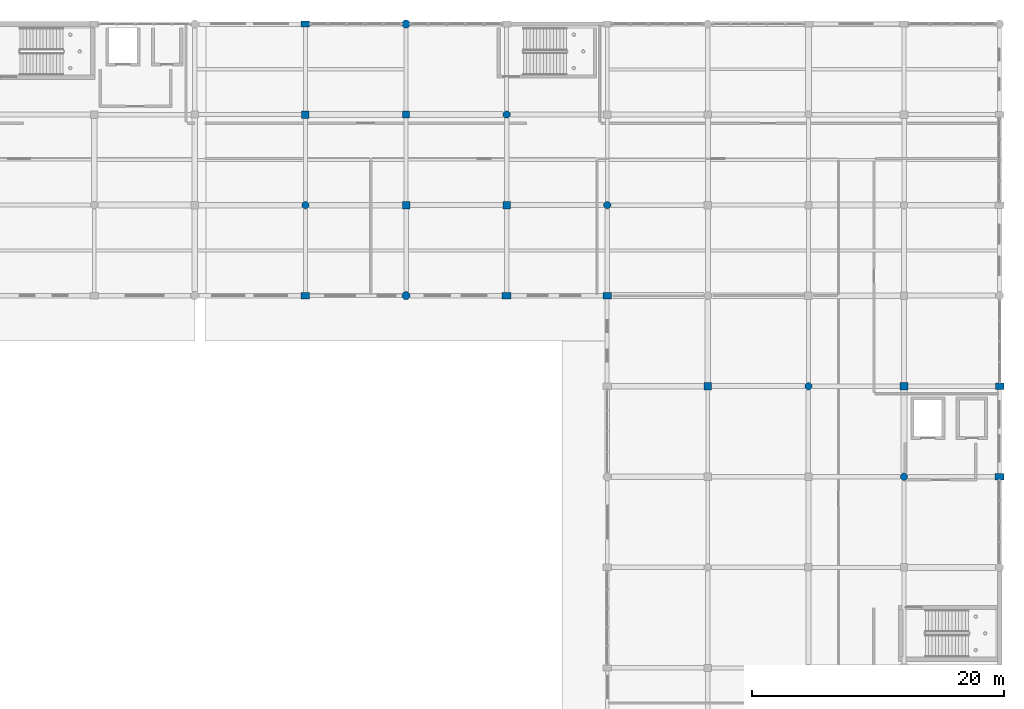
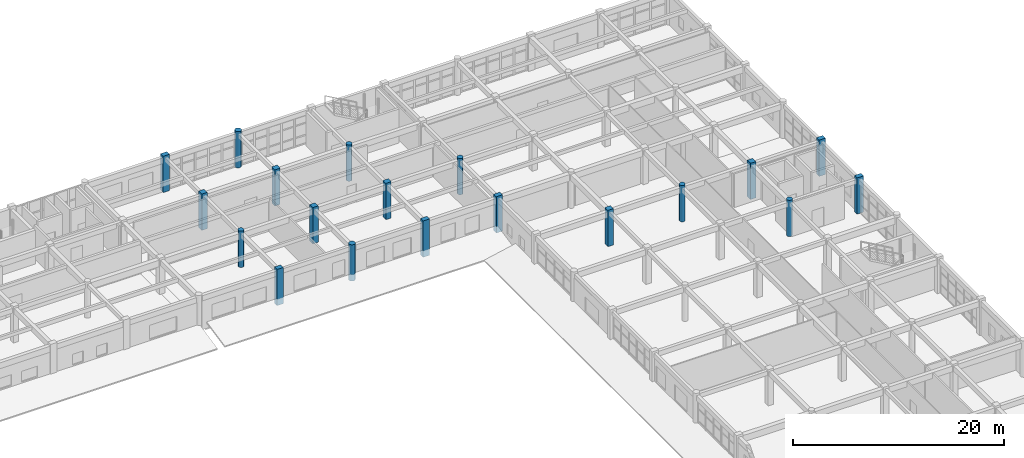
# One storey, part 7 of 121: 19 columns.
"""IFC4 building model written with IfcOpenShell, lengths in metres."""

from ifc_helpers import new_model, si_unit, direction, frame, origin, origin_2d, place, context, subcontext, project, spatial, rectangle, circle, extrude, material, material_profile, profile_set, type_object, element, save


model = new_model("IFC4")

# Units and contexts
model_context = context("Model", 3, precision=1e-05, world=origin(), true_north=direction((0.0, 1.0)))
body_context = subcontext(model_context, "Body", "Model", "MODEL_VIEW")
ifc_project = project(units=[si_unit("LENGTHUNIT", "METRE"), si_unit("AREAUNIT", "SQUARE_METRE"), si_unit("VOLUMEUNIT", "CUBIC_METRE"), si_unit("PLANEANGLEUNIT", "RADIAN"), si_unit("MASSUNIT", "GRAM", prefix="KILO")], contexts=[model_context])

# Site, building, storey
site_placement = place(None, origin())
site = spatial("IfcSite", under=ifc_project, at=site_placement, CompositionType="ELEMENT")
building_placement = place(site_placement, origin())
building = spatial("IfcBuilding", under=site, at=building_placement, Name="Kharva Crest Polytechnic", CompositionType="ELEMENT")
storey_placement = place(building_placement, frame((0.0, 0.0, 13.199951171875)))
storey = spatial("IfcBuildingStorey", under=building, at=storey_placement, Name="L03", CompositionType="ELEMENT", Elevation=13.199951171875)

# Columns
ifc_material = material(Name="Concrete C40/50", Category="concrete")
ifc_material_profile_1 = material_profile(ifc_material, rectangle(XDim=0.679931640625, YDim=0.5, at=origin_2d()), Name="RECT 680 X 500")
ifc_profile_set_1 = profile_set([ifc_material_profile_1], Name="Concrete C40/50")
column_type_1 = type_object("IfcColumnType", Name="COL-EXT-680X500", PredefinedType="COLUMN", material=ifc_profile_set_1)
for number, where, z_axis, x_axis, name in (
    (1, (128.800048828125, 100.39990234375, 0.0), (0.0, 0.0, 1.0), (1.0, 0.0, 0.0), "L03 Column 17/P"),
    (2, (128.800048828125, 122.0, 0.0), (0.0, 0.0, 1.0), (1.0, 0.0, 0.0), "L03 Column 17/S"),
    (3, (152.800048828125, 100.39990234375, 0.0), (0.0, 0.0, 1.0), (1.0, 0.0, 0.0), "L03 Column 20/P"),
    (4, (184.0, 93.199951171875, 0.0), (0.0, 0.0, 1.0), (1.0, 0.0, 0.0), "L03 Column 24/N"),
):
    element("IfcColumn", number, at=place(storey_placement, frame(where, z_axis=z_axis, x_axis=x_axis)), inside=storey, type_object=column_type_1, Name=name, PredefinedType="COLUMN", context=body_context, shape_type="SweptSolid", body=[
        extrude(rectangle(XDim=0.679931640625, YDim=0.5, at=origin_2d()), origin(), (0.0, 0.0, 1.0), 4.199951171875),
    ])
ifc_material_profile_2 = material_profile(ifc_material, rectangle(XDim=0.699951171875, YDim=0.5, at=origin_2d()), Name="RECT 700 X 500")
ifc_profile_set_2 = profile_set([ifc_material_profile_2], Name="Concrete C40/50")
column_type_2 = type_object("IfcColumnType", Name="COL-EXT-700X500", PredefinedType="COLUMN", material=ifc_profile_set_2)
for number, where, z_axis, x_axis, name in (
    (5, (144.800048828125, 100.39990234375, 0.0), (0.0, 0.0, 1.0), (1.0, 0.0, 0.0), "L03 Column 19/P"),
    (6, (184.0, 86.0, 0.0), (0.0, 0.0, 1.0), (1.0, 0.0, 0.0), "L03 Column 24/M"),
):
    element("IfcColumn", number, at=place(storey_placement, frame(where, z_axis=z_axis, x_axis=x_axis)), inside=storey, type_object=column_type_2, Name=name, PredefinedType="COLUMN", context=body_context, shape_type="SweptSolid", body=[
        extrude(rectangle(XDim=0.699951171875, YDim=0.5, at=origin_2d()), origin(), (0.0, 0.0, 1.0), 4.199951171875),
    ])
ifc_material_profile_3 = material_profile(ifc_material, circle(Radius=0.320068359375, at=origin_2d()), Name="DIA 640")
ifc_profile_set_3 = profile_set([ifc_material_profile_3], Name="Concrete C40/50")
column_type_3 = type_object("IfcColumnType", Name="COL-EXT-DIA640", PredefinedType="COLUMN", material=ifc_profile_set_3)
for number, where, z_axis, x_axis, name in (
    (7, (136.800048828125, 100.39990234375, 0.0), (0.0, 0.0, 1.0), (1.0, 0.0, 0.0), "L03 Column 18/P"),
    (8, (136.800048828125, 122.0, 0.0), (0.0, 0.0, 1.0), (1.0, 0.0, 0.0), "L03 Column 18/S"),
):
    element("IfcColumn", number, at=place(storey_placement, frame(where, z_axis=z_axis, x_axis=x_axis)), inside=storey, type_object=column_type_3, Name=name, PredefinedType="COLUMN", context=body_context, shape_type="SweptSolid", body=[
        extrude(circle(Radius=0.320068359375, at=origin_2d()), origin(), (0.0, 0.0, 1.0), 4.199951171875),
    ])
ifc_material_profile_4 = material_profile(ifc_material, rectangle(XDim=0.580078125, YDim=0.580078125, at=origin_2d()), Name="RECT 580 X 580")
ifc_profile_set_4 = profile_set([ifc_material_profile_4], Name="Concrete C40/50")
column_type_4 = type_object("IfcColumnType", Name="COL-INT-580X580", PredefinedType="COLUMN", material=ifc_profile_set_4)
for number, where, z_axis, x_axis, name in (
    (9, (136.800048828125, 114.800048828125, 0.0), (0.0, 0.0, 1.0), (1.0, 0.0, 0.0), "L03 Column 18/R"),
    (10, (144.800048828125, 107.60009765625, 0.0), (0.0, 0.0, 1.0), (1.0, 0.0, 0.0), "L03 Column 19/Q"),
    (11, (160.800048828125, 93.199951171875, 0.0), (0.0, 0.0, 1.0), (1.0, 0.0, 0.0), "L03 Column 21/N"),
):
    element("IfcColumn", number, at=place(storey_placement, frame(where, z_axis=z_axis, x_axis=x_axis)), inside=storey, type_object=column_type_4, Name=name, PredefinedType="COLUMN", context=body_context, shape_type="SweptSolid", body=[
        extrude(rectangle(XDim=0.580078125, YDim=0.580078125, at=origin_2d()), origin(), (0.0, 0.0, 1.0), 4.199951171875),
    ])
ifc_material_profile_5 = material_profile(ifc_material, rectangle(XDim=0.60009765625, YDim=0.60009765625, at=origin_2d()), Name="RECT 600 X 600")
ifc_profile_set_5 = profile_set([ifc_material_profile_5], Name="Concrete C40/50")
column_type_5 = type_object("IfcColumnType", Name="COL-INT-600X600", PredefinedType="COLUMN", material=ifc_profile_set_5)
for number, where, z_axis, x_axis, name in (
    (12, (128.800048828125, 114.800048828125, 0.0), (0.0, 0.0, 1.0), (1.0, 0.0, 0.0), "L03 Column 17/R"),
    (13, (136.800048828125, 107.60009765625, 0.0), (0.0, 0.0, 1.0), (1.0, 0.0, 0.0), "L03 Column 18/Q"),
    (14, (176.39990234375, 93.199951171875, 0.0), (0.0, 0.0, 1.0), (1.0, 0.0, 0.0), "L03 Column 23/N"),
):
    element("IfcColumn", number, at=place(storey_placement, frame(where, z_axis=z_axis, x_axis=x_axis)), inside=storey, type_object=column_type_5, Name=name, PredefinedType="COLUMN", context=body_context, shape_type="SweptSolid", body=[
        extrude(rectangle(XDim=0.60009765625, YDim=0.60009765625, at=origin_2d()), origin(), (0.0, 0.0, 1.0), 4.199951171875),
    ])
ifc_material_profile_6 = material_profile(ifc_material, circle(Radius=0.2900390625, at=origin_2d()), Name="DIA 580")
ifc_profile_set_6 = profile_set([ifc_material_profile_6], Name="Concrete C40/50")
column_type_6 = type_object("IfcColumnType", Name="COL-INT-DIA580", PredefinedType="COLUMN", material=ifc_profile_set_6)
for number, where, z_axis, x_axis, name in (
    (15, (128.800048828125, 107.60009765625, 0.0), (0.0, 0.0, 1.0), (1.0, 0.0, 0.0), "L03 Column 17/Q"),
    (16, (144.800048828125, 114.800048828125, 0.0), (0.0, 0.0, 1.0), (1.0, 0.0, 0.0), "L03 Column 19/R"),
    (17, (152.800048828125, 107.60009765625, 0.0), (0.0, 0.0, 1.0), (1.0, 0.0, 0.0), "L03 Column 20/Q"),
    (18, (168.800048828125, 93.199951171875, 0.0), (0.0, 0.0, 1.0), (1.0, 0.0, 0.0), "L03 Column 22/N"),
    (19, (176.39990234375, 86.0, 0.0), (0.0, 0.0, 1.0), (1.0, 0.0, 0.0), "L03 Column 23/M"),
):
    element("IfcColumn", number, at=place(storey_placement, frame(where, z_axis=z_axis, x_axis=x_axis)), inside=storey, type_object=column_type_6, Name=name, PredefinedType="COLUMN", context=body_context, shape_type="SweptSolid", body=[
        extrude(circle(Radius=0.2900390625, at=origin_2d()), origin(), (0.0, 0.0, 1.0), 4.199951171875),
    ])

save(model, "model.ifc")
